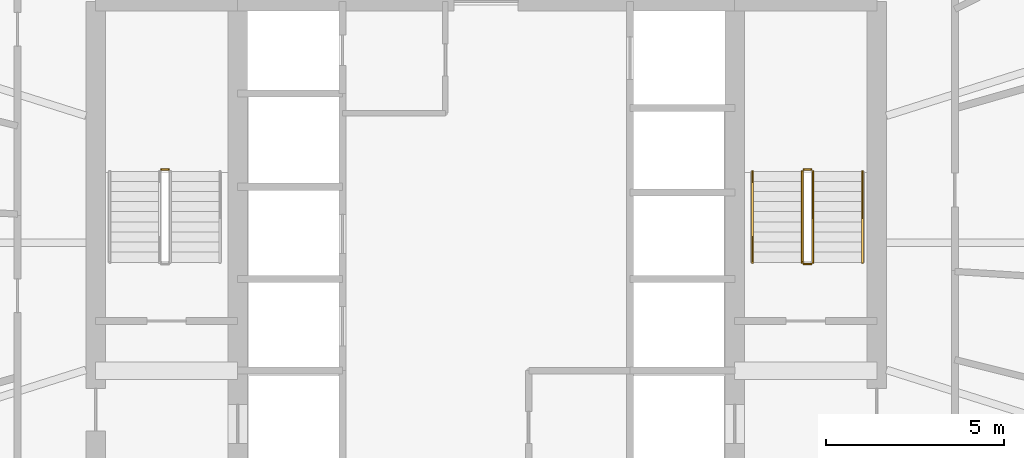
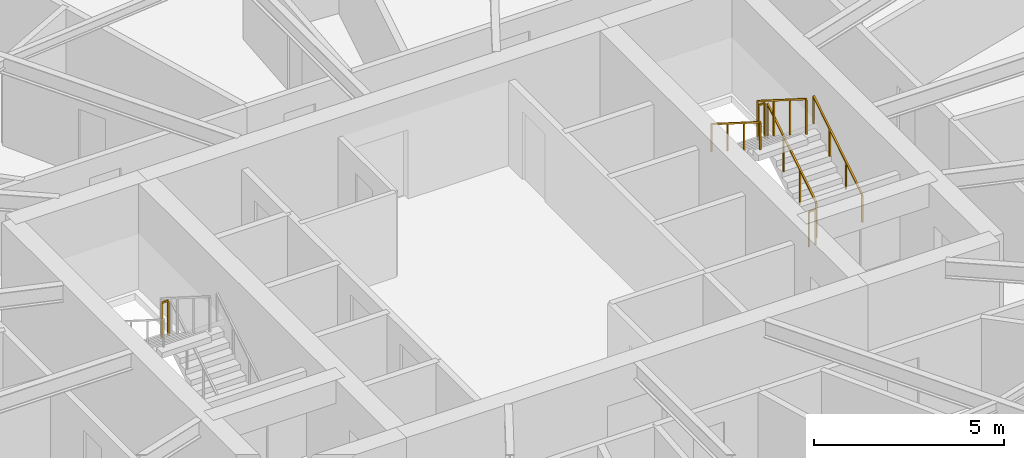
# One storey, part 24 of 24: 7 railings.
"""IFC4 building model written with IfcOpenShell, lengths in metres."""

from ifc_helpers import new_model, si_unit, direction, frame, origin, origin_2d, place, context, subcontext, project, spatial, rectangle, extrude, material, type_object, element, save


model = new_model("IFC4")

# Units and contexts
model_context = context("Model", 3, precision=1e-05, world=origin(), true_north=direction((0.0, 1.0)))
body_context = subcontext(model_context, "Body", "Model", "MODEL_VIEW")
ifc_project = project(units=[si_unit("LENGTHUNIT", "METRE"), si_unit("AREAUNIT", "SQUARE_METRE"), si_unit("VOLUMEUNIT", "CUBIC_METRE"), si_unit("PLANEANGLEUNIT", "RADIAN"), si_unit("MASSUNIT", "GRAM", prefix="KILO")], contexts=[model_context])

# Site, building, storey
site_placement = place(None, origin())
site = spatial("IfcSite", under=ifc_project, at=site_placement, CompositionType="ELEMENT")
building_placement = place(site_placement, origin())
building = spatial("IfcBuilding", under=site, at=building_placement, Name="Sarneth Arch Tower", CompositionType="ELEMENT")
storey_placement = place(building_placement, frame((0.0, 0.0, 102.0)))
storey = spatial("IfcBuildingStorey", under=building, at=storey_placement, Name="L25", CompositionType="ELEMENT", Elevation=102.0)

# Railings
ifc_material_1 = material(Name="Brushed Stainless Steel 304 tubular handrail", Category="steel")
railing_type_1 = type_object("IfcRailingType", Name="RAIL-HANDRAIL-900", PredefinedType="HANDRAIL", material=ifc_material_1)
railing_1_placement = place(storey_placement, frame((58.60009765625, 41.449951171875, 0.179931640625)))
element("IfcRailing", 1, at=railing_1_placement, inside=storey, type_object=railing_type_1, Name="L25 ST-2 stair handrail 1", PredefinedType="HANDRAIL", context=body_context, shape_type="SweptSolid", body=[
    extrude(rectangle(XDim=0.048095703125, YDim=0.048095703125, at=origin_2d()), frame((0.0, 0.0, 0.8759765625), z_axis=(0.0, 0.845465955043, 0.534029323973), x_axis=(-1.0, 0.0, 0.0)), (0.0, 0.0, 1.0), 3.03369140625),
    extrude(rectangle(XDim=0.0419921875, YDim=0.0419921875, at=origin_2d()), origin(), (0.0, 0.0, 1.0), 0.851806640625),
    extrude(rectangle(XDim=0.0419921875, YDim=0.0419921875, at=origin_2d()), frame((0.0, 0.85498046875, 0.5400390625)), (0.0, 0.0, 1.0), 0.851806640625),
    extrude(rectangle(XDim=0.0419921875, YDim=0.0419921875, at=origin_2d()), frame((0.0, 1.7099609375, 1.080078125)), (0.0, 0.0, 1.0), 0.851806640625),
    extrude(rectangle(XDim=0.0419921875, YDim=0.0419921875, at=origin_2d()), frame((0.0, 2.56494140625, 1.6201171875)), (0.0, 0.0, 1.0), 0.851806640625),
])
railing_2_placement = place(storey_placement, frame((55.5, 44.014892578125, 1.97998046875)))
element("IfcRailing", 2, at=railing_2_placement, inside=storey, type_object=railing_type_1, Name="L25 ST-2 stair handrail 2", PredefinedType="HANDRAIL", context=body_context, shape_type="SweptSolid", body=[
    extrude(rectangle(XDim=0.048095703125, YDim=0.048095703125, at=origin_2d()), frame((0.0, 0.0, 0.8759765625), z_axis=(0.0, -0.845465955043, 0.534029323973), x_axis=(1.0, 0.0, 0.0)), (0.0, 0.0, 1.0), 3.03369140625),
    extrude(rectangle(XDim=0.0419921875, YDim=0.0419921875, at=origin_2d()), origin(), (0.0, 0.0, 1.0), 0.851806640625),
    extrude(rectangle(XDim=0.0419921875, YDim=0.0419921875, at=origin_2d()), frame((0.0, -0.85498046875, 0.5400390625)), (0.0, 0.0, 1.0), 0.851806640625),
    extrude(rectangle(XDim=0.0419921875, YDim=0.0419921875, at=origin_2d()), frame((0.0, -1.7099609375, 1.080078125)), (0.0, 0.0, 1.0), 0.851806640625),
    extrude(rectangle(XDim=0.0419921875, YDim=0.0419921875, at=origin_2d()), frame((0.0, -2.56494140625, 1.6201171875)), (0.0, 0.0, 1.0), 0.851806640625),
])
ifc_material_2 = material(Name="Painted Steel S275 stair well guard", Category="steel")
railing_type_2 = type_object("IfcRailingType", Name="RAIL-STAIR-GUARD", PredefinedType="GUARDRAIL", material=ifc_material_2)
railing_3_placement = place(storey_placement, frame((39.050048828125, 44.06494140625, 1.800048828125)))
element("IfcRailing", 3, at=railing_3_placement, inside=storey, type_object=railing_type_2, Name="L25 ST-1 stair guard 2", PredefinedType="GUARDRAIL", context=body_context, shape_type="SweptSolid", body=[
    extrude(rectangle(XDim=0.048095703125, YDim=0.048095703125, at=origin_2d()), frame((0.0, 0.0, 1.1259765625), z_axis=(-1.0, 0.0, 0.0), x_axis=(0.0, -1.0, 0.0)), (0.0, 0.0, 1.0), 0.199951171875),
    extrude(rectangle(XDim=0.0419921875, YDim=0.0419921875, at=origin_2d()), origin(), (0.0, 0.0, 1.0), 1.101806640625),
    extrude(rectangle(XDim=0.0419921875, YDim=0.0419921875, at=origin_2d()), frame((-0.199951171875, 0.0, 0.0)), (0.0, 0.0, 1.0), 1.101806640625),
])
railing_4_placement = place(storey_placement, frame((57.199951171875, 41.449951171875, 0.179931640625)))
element("IfcRailing", 4, at=railing_4_placement, inside=storey, type_object=railing_type_2, Name="L25 ST-2 stair guard 1", PredefinedType="GUARDRAIL", context=body_context, shape_type="SweptSolid", body=[
    extrude(rectangle(XDim=0.048095703125, YDim=0.048095703125, at=origin_2d()), frame((0.0, 0.0, 1.1259765625), z_axis=(0.0, 0.845465955043, 0.534029323973), x_axis=(-1.0, 0.0, 0.0)), (0.0, 0.0, 1.0), 3.03369140625),
    extrude(rectangle(XDim=0.0419921875, YDim=0.0419921875, at=origin_2d()), origin(), (0.0, 0.0, 1.0), 1.101806640625),
    extrude(rectangle(XDim=0.0419921875, YDim=0.0419921875, at=origin_2d()), frame((0.0, 0.85498046875, 0.5400390625)), (0.0, 0.0, 1.0), 1.101806640625),
    extrude(rectangle(XDim=0.0419921875, YDim=0.0419921875, at=origin_2d()), frame((0.0, 1.7099609375, 1.080078125)), (0.0, 0.0, 1.0), 1.101806640625),
    extrude(rectangle(XDim=0.0419921875, YDim=0.0419921875, at=origin_2d()), frame((0.0, 2.56494140625, 1.6201171875)), (0.0, 0.0, 1.0), 1.101806640625),
])
railing_5_placement = place(storey_placement, frame((57.14990234375, 44.06494140625, 1.800048828125)))
element("IfcRailing", 5, at=railing_5_placement, inside=storey, type_object=railing_type_2, Name="L25 ST-2 stair guard 2", PredefinedType="GUARDRAIL", context=body_context, shape_type="SweptSolid", body=[
    extrude(rectangle(XDim=0.048095703125, YDim=0.048095703125, at=origin_2d()), frame((0.0, 0.0, 1.1259765625), z_axis=(-1.0, 0.0, 0.0), x_axis=(0.0, -1.0, 0.0)), (0.0, 0.0, 1.0), 0.199951171875),
    extrude(rectangle(XDim=0.0419921875, YDim=0.0419921875, at=origin_2d()), origin(), (0.0, 0.0, 1.0), 1.101806640625),
    extrude(rectangle(XDim=0.0419921875, YDim=0.0419921875, at=origin_2d()), frame((-0.199951171875, 0.0, 0.0)), (0.0, 0.0, 1.0), 1.101806640625),
])
railing_6_placement = place(storey_placement, frame((56.89990234375, 44.014892578125, 1.97998046875)))
element("IfcRailing", 6, at=railing_6_placement, inside=storey, type_object=railing_type_2, Name="L25 ST-2 stair guard 3", PredefinedType="GUARDRAIL", context=body_context, shape_type="SweptSolid", body=[
    extrude(rectangle(XDim=0.048095703125, YDim=0.048095703125, at=origin_2d()), frame((0.0, 0.0, 1.1259765625), z_axis=(0.0, -0.845465955043, 0.534029323973), x_axis=(1.0, 0.0, 0.0)), (0.0, 0.0, 1.0), 3.03369140625),
    extrude(rectangle(XDim=0.0419921875, YDim=0.0419921875, at=origin_2d()), origin(), (0.0, 0.0, 1.0), 1.101806640625),
    extrude(rectangle(XDim=0.0419921875, YDim=0.0419921875, at=origin_2d()), frame((0.0, -0.85498046875, 0.5400390625)), (0.0, 0.0, 1.0), 1.101806640625),
    extrude(rectangle(XDim=0.0419921875, YDim=0.0419921875, at=origin_2d()), frame((0.0, -1.7099609375, 1.080078125)), (0.0, 0.0, 1.0), 1.101806640625),
    extrude(rectangle(XDim=0.0419921875, YDim=0.0419921875, at=origin_2d()), frame((0.0, -2.56494140625, 1.6201171875)), (0.0, 0.0, 1.0), 1.101806640625),
])
railing_7_placement = place(storey_placement, frame((57.14990234375, 41.39990234375, 0.0)))
element("IfcRailing", 7, at=railing_7_placement, inside=storey, type_object=railing_type_2, Name="L25 ST-2 stair guard 4", PredefinedType="GUARDRAIL", context=body_context, shape_type="SweptSolid", body=[
    extrude(rectangle(XDim=0.048095703125, YDim=0.048095703125, at=origin_2d()), frame((0.0, 0.0, 1.1259765625), z_axis=(-1.0, 0.0, 0.0), x_axis=(0.0, -1.0, 0.0)), (0.0, 0.0, 1.0), 0.199951171875),
    extrude(rectangle(XDim=0.0419921875, YDim=0.0419921875, at=origin_2d()), origin(), (0.0, 0.0, 1.0), 1.101806640625),
    extrude(rectangle(XDim=0.0419921875, YDim=0.0419921875, at=origin_2d()), frame((-0.199951171875, 0.0, 0.0)), (0.0, 0.0, 1.0), 1.101806640625),
])

save(model, "model.ifc")
